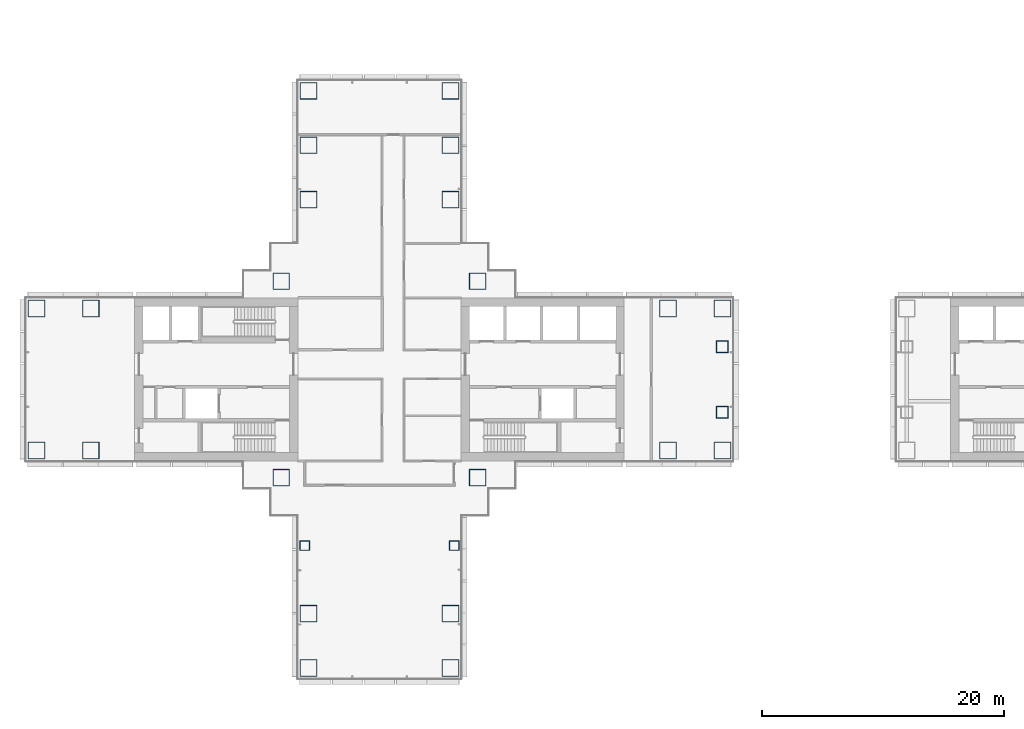
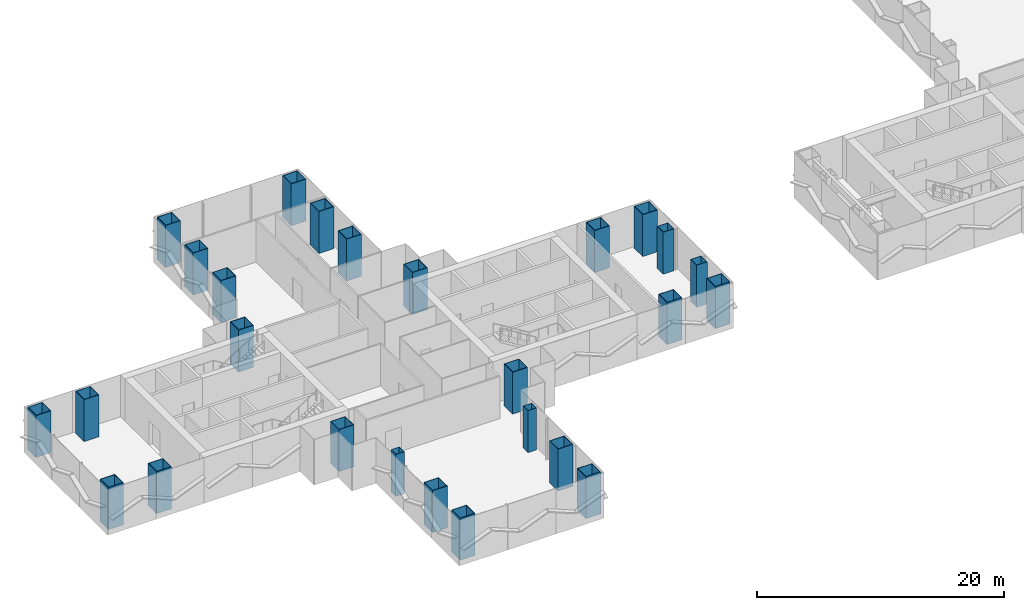
# One storey, part 1 of 22: 26 columns.
"""IFC4 building model written with IfcOpenShell, lengths in metres."""

from ifc_helpers import new_model, si_unit, direction, frame, origin, origin_2d, place, context, subcontext, project, spatial, hollow_rectangle, extrude, material, material_profile, profile_set, type_object, element, save


model = new_model("IFC4")

# Units and contexts
model_context = context("Model", 3, precision=1e-05, world=origin(), true_north=direction((0.0, 1.0)))
body_context = subcontext(model_context, "Body", "Model", "MODEL_VIEW")
ifc_project = project(units=[si_unit("LENGTHUNIT", "METRE"), si_unit("AREAUNIT", "SQUARE_METRE"), si_unit("VOLUMEUNIT", "CUBIC_METRE"), si_unit("PLANEANGLEUNIT", "RADIAN"), si_unit("MASSUNIT", "GRAM", prefix="KILO")], contexts=[model_context])

# Site, building, storey
site_placement = place(None, origin())
site = spatial("IfcSite", under=ifc_project, at=site_placement, CompositionType="ELEMENT")
building_placement = place(site_placement, origin())
building = spatial("IfcBuilding", under=site, at=building_placement, Name="Shamsa Quay Exchange Towers", CompositionType="ELEMENT")
storey_placement = place(building_placement, frame((0.0, 0.0, 33.0)))
storey = spatial("IfcBuildingStorey", under=building, at=storey_placement, Name="L06", CompositionType="ELEMENT", Elevation=33.0)

# Columns
ifc_material_1 = material(Name="Concrete-filled steel tube S355 / C80/95", Category="concrete")
ifc_material_profile_1 = material_profile(ifc_material_1, hollow_rectangle(XDim=1.39990234375, YDim=1.39990234375, WallThickness=0.050048828125, at=origin_2d()), Name="CFT 1400x1400x50")
ifc_profile_set_1 = profile_set([ifc_material_profile_1], Name="Concrete-filled steel tube S355 / C80/95")
column_type_1 = type_object("IfcColumnType", Name="Column CFT 1400x1400x50", PredefinedType="COLUMN", material=ifc_profile_set_1)
for number, where, name in (
    (1, (-25.625, 8.125, 0.0), "Mega column T1-CM01"),
    (2, (-25.625, -8.125, 0.0), "Mega column T1-CM02"),
    (3, (-41.875, 8.125, 0.0), "Mega column T1-CM03"),
    (4, (-41.875, -8.125, 0.0), "Mega column T1-CM04"),
    (5, (-9.875, -5.875, 0.0), "Mega column T1-CM05"),
    (6, (-5.375, -5.875, 0.0), "Mega column T1-CM06"),
    (7, (-9.875, 5.875, 0.0), "Mega column T1-CM07"),
    (8, (-5.375, 5.875, 0.0), "Mega column T1-CM08"),
    (9, (-57.625, -5.875, 0.0), "Mega column T1-CM09"),
    (10, (-62.125, -5.875, 0.0), "Mega column T1-CM10"),
    (11, (-57.625, 5.875, 0.0), "Mega column T1-CM11"),
    (12, (-62.125, 5.875, 0.0), "Mega column T1-CM12"),
    (13, (-39.625, 14.875, 0.0), "Mega column T1-CM13"),
    (14, (-39.625, 19.375, 0.0), "Mega column T1-CM14"),
    (15, (-39.625, 23.875, 0.0), "Mega column T1-CM15"),
    (16, (-27.875, 14.875, 0.0), "Mega column T1-CM16"),
    (17, (-27.875, 19.375, 0.0), "Mega column T1-CM17"),
    (18, (-27.875, 23.875, 0.0), "Mega column T1-CM18"),
    (19, (-39.625, -19.375, 0.0), "Mega column T1-CM20"),
    (20, (-39.625, -23.875, 0.0), "Mega column T1-CM21"),
    (21, (-27.875, -19.375, 0.0), "Mega column T1-CM23"),
    (22, (-27.875, -23.875, 0.0), "Mega column T1-CM24"),
):
    element("IfcColumn", number, at=place(storey_placement, frame(where)), inside=storey, type_object=column_type_1, Name=name, PredefinedType="COLUMN", context=body_context, shape_type="SweptSolid", body=[
        extrude(hollow_rectangle(XDim=1.39990234375, YDim=1.39990234375, WallThickness=0.050048828125, at=origin_2d()), origin(), (0.0, 0.0, 1.0), 4.14990234375),
    ])
ifc_material_2 = material(Name="Concrete-filled steel tube S355 / C60/75", Category="concrete")
ifc_material_profile_2 = material_profile(ifc_material_2, hollow_rectangle(XDim=0.800048828125, YDim=0.800048828125, WallThickness=0.02490234375, at=origin_2d()), Name="CFT 800x800x25")
ifc_profile_set_2 = profile_set([ifc_material_profile_2], Name="Concrete-filled steel tube S355 / C60/75")
column_type_2 = type_object("IfcColumnType", Name="Column CFT 800x800x25", PredefinedType="COLUMN", material=ifc_profile_set_2)
for number, where, name in (
    (23, (-39.9375, -13.75, 0.0), "Perimeter column T1-CP19"),
    (24, (-27.5625, -13.75, 0.0), "Perimeter column T1-CP22"),
):
    element("IfcColumn", number, at=place(storey_placement, frame(where)), inside=storey, type_object=column_type_2, Name=name, PredefinedType="COLUMN", context=body_context, shape_type="SweptSolid", body=[
        extrude(hollow_rectangle(XDim=0.800048828125, YDim=0.800048828125, WallThickness=0.02490234375, at=origin_2d()), origin(), (0.0, 0.0, 1.0), 4.14990234375),
    ])
ifc_material_3 = material(Name="Concrete-filled steel tube S355 / C70/85", Category="concrete")
ifc_material_profile_3 = material_profile(ifc_material_3, hollow_rectangle(XDim=1.0, YDim=1.0, WallThickness=0.0400390625, at=origin_2d()), Name="CFT 1000x1000x40")
ifc_profile_set_3 = profile_set([ifc_material_profile_3], Name="Concrete-filled steel tube S355 / C70/85")
column_type_3 = type_object("IfcColumnType", Name="Landing column CFT 1000x1000x40", PredefinedType="COLUMN", material=ifc_profile_set_3)
for number, where, name in (
    (25, (-5.375, -2.699951171875, 0.0), "Landing column T1 S"),
    (26, (-5.375, 2.699951171875, 0.0), "Landing column T1 N"),
):
    element("IfcColumn", number, at=place(storey_placement, frame(where)), inside=storey, type_object=column_type_3, Name=name, PredefinedType="COLUMN", context=body_context, shape_type="SweptSolid", body=[
        extrude(hollow_rectangle(XDim=1.0, YDim=1.0, WallThickness=0.0400390625, at=origin_2d()), origin(), (0.0, 0.0, 1.0), 4.14990234375),
    ])

save(model, "model.ifc")
